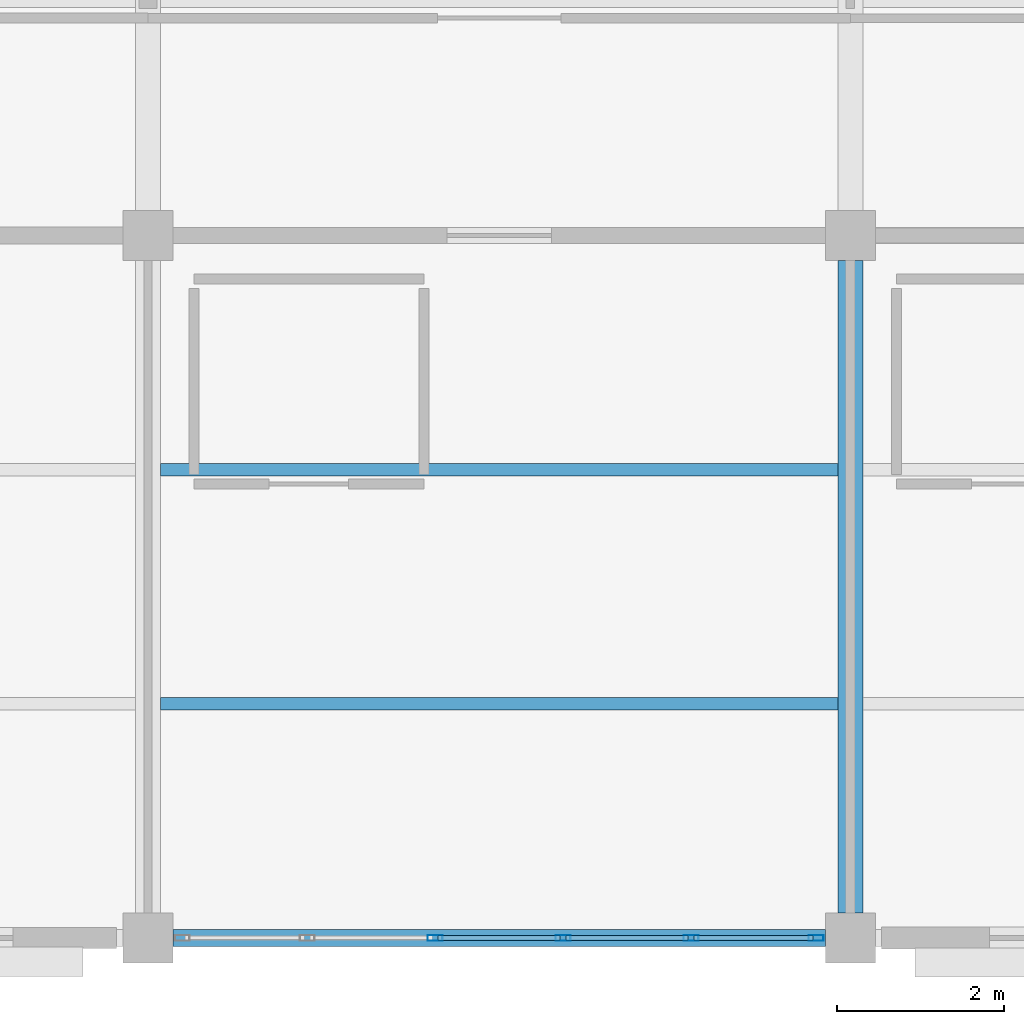
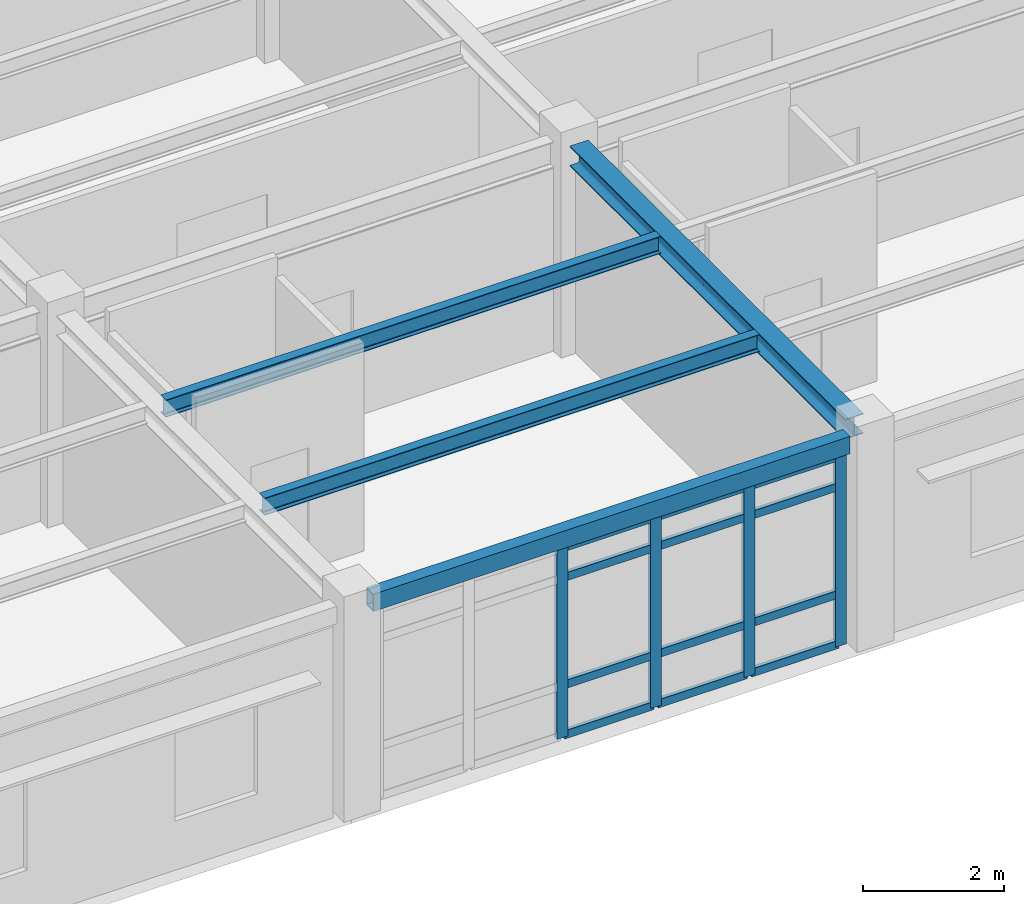
# One storey, part 6 of 86: 16 members, 4 beams, 1 element without a shape of its own.
"""IFC4 building model written with IfcOpenShell, lengths in metres."""

from ifc_helpers import new_model, si_unit, direction, frame, origin, origin_2d, place, context, subcontext, project, spatial, hollow_rectangle, i_section, extrude, material, layer, layer_set, material_profile, profile_set, type_object, element, aggregate, save


model = new_model("IFC4")

# Units and contexts
model_context = context("Model", 3, precision=1e-05, world=origin(), true_north=direction((0.0, 1.0)))
body_context = subcontext(model_context, "Body", "Model", "MODEL_VIEW")
ifc_project = project(units=[si_unit("LENGTHUNIT", "METRE"), si_unit("AREAUNIT", "SQUARE_METRE"), si_unit("VOLUMEUNIT", "CUBIC_METRE"), si_unit("PLANEANGLEUNIT", "RADIAN"), si_unit("MASSUNIT", "GRAM", prefix="KILO")], contexts=[model_context])

# Site, building, storey
site_placement = place(None, origin())
site = spatial("IfcSite", under=ifc_project, at=site_placement, CompositionType="ELEMENT")
building_placement = place(site_placement, origin())
building = spatial("IfcBuilding", under=site, at=building_placement, Name="Bramfleet General Hospital", CompositionType="ELEMENT")
storey_placement = place(building_placement, frame((0.0, 0.0, 18.60009765625)))
storey = spatial("IfcBuildingStorey", under=building, at=storey_placement, Name="L04", CompositionType="ELEMENT", Elevation=18.60009765625)

# Beams
ifc_material_1 = material(Name="Steel S355", Category="steel")
ifc_material_profile_1 = material_profile(ifc_material_1, i_section(OverallWidth=0.300048828125, OverallDepth=0.35009765625, WebThickness=0.010009765625, FlangeThickness=0.017578125, FilletRadius=0.027099609375, at=origin_2d()), Name="HEA 360")
ifc_profile_set_1 = profile_set([ifc_material_profile_1], Name="Steel S355")
beam_type_1 = type_object("IfcBeamType", Name="BM-HEA360", PredefinedType="BEAM", material=ifc_profile_set_1)
beam_1_placement = place(storey_placement, frame((126.0, 0.300048828125, 3.44482421875), z_axis=(0.0, 1.0, 0.0), x_axis=(-1.0, 0.0, 0.0)))
element("IfcBeam", 1, at=beam_1_placement, inside=storey, type_object=beam_type_1, Name="L04 Grid Beam Y 15-00", PredefinedType="BEAM", context=body_context, shape_type="SweptSolid", body=[
    extrude(i_section(OverallWidth=0.300048828125, OverallDepth=0.35009765625, WebThickness=0.010009765625, FlangeThickness=0.017578125, FilletRadius=0.027099609375, at=origin_2d()), origin(), (0.0, 0.0, 1.0), 7.800048828125),
])
ifc_material_profile_2 = material_profile(ifc_material_1, i_section(OverallWidth=0.14990234375, OverallDepth=0.300048828125, WebThickness=0.007080078125, FlangeThickness=0.0107421875, FilletRadius=0.014892578125, at=origin_2d()), Name="IPE 300")
ifc_profile_set_2 = profile_set([ifc_material_profile_2], Name="Steel S355")
beam_type_2 = type_object("IfcBeamType", Name="BM-IPE300", PredefinedType="JOIST", material=ifc_profile_set_2)
for number, where, z_axis, x_axis, name in (
    (2, (117.75, 2.800048828125, 3.469970703125), (1.0, 0.0, 0.0), (0.0, 1.0, 0.0), "L04 Secondary Joist 14-00-1"),
    (3, (117.75, 5.60009765625, 3.469970703125), (1.0, 0.0, 0.0), (0.0, 1.0, 0.0), "L04 Secondary Joist 14-00-2"),
):
    element("IfcBeam", number, at=place(storey_placement, frame(where, z_axis=z_axis, x_axis=x_axis)), inside=storey, type_object=beam_type_2, Name=name, PredefinedType="JOIST", context=body_context, shape_type="SweptSolid", body=[
        extrude(i_section(OverallWidth=0.14990234375, OverallDepth=0.300048828125, WebThickness=0.007080078125, FlangeThickness=0.0107421875, FilletRadius=0.014892578125, at=origin_2d()), origin(), (0.0, 0.0, 1.0), 8.10009765625),
    ])
ifc_material_profile_3 = material_profile(ifc_material_1, hollow_rectangle(XDim=0.199951171875, YDim=0.300048828125, WallThickness=0.012451171875, at=origin_2d()), Name="RHS 300x200x12.5")
ifc_profile_set_3 = profile_set([ifc_material_profile_3], Name="Steel S355")
beam_type_3 = type_object("IfcBeamType", Name="BM-RHS300", PredefinedType="SPANDREL", material=ifc_profile_set_3)
beam_2_placement = place(storey_placement, frame((117.89990234375, 0.0, 3.469970703125), z_axis=(1.0, 0.0, 0.0), x_axis=(0.0, 1.0, 0.0)))
element("IfcBeam", 4, at=beam_2_placement, inside=storey, type_object=beam_type_3, Name="L04 Grid Beam X 14-00", PredefinedType="SPANDREL", context=body_context, shape_type="SweptSolid", body=[
    extrude(hollow_rectangle(XDim=0.199951171875, YDim=0.300048828125, WallThickness=0.012451171875, at=origin_2d()), origin(), (0.0, 0.0, 1.0), 7.800048828125),
])

# Curtain wall, members
ifc_material_2 = material(Name="Anodised aluminium and low-E triple glazing", Category="aluminium")
ifc_layer = layer(ifc_material_2, 0.179931640625, Name="CWT-CW-16")
ifc_layer_set = layer_set([ifc_layer], Name="Anodised aluminium and low-E triple glazing")
curtain_wall_type = type_object("IfcCurtainWallType", Name="CWT-CW-16", PredefinedType="USERDEFINED", material=ifc_layer_set)
curtain_wall_placement = place(storey_placement, origin())
curtain_wall = element("IfcCurtainWall", 5, at=curtain_wall_placement, inside=storey, type_object=curtain_wall_type, Name="L04 Curtain Wall 196", ObjectType="Stick curtain wall", PredefinedType="USERDEFINED")
ifc_material_3 = material(Name="Anodised aluminium EN AW-6060", Category="aluminium")
ifc_material_profile_4 = material_profile(ifc_material_3, hollow_rectangle(XDim=0.070068359375, YDim=0.179931640625, WallThickness=0.00390625, at=origin_2d()), Name="ALU 180x70x4.0")
ifc_profile_set_4 = profile_set([ifc_material_profile_4], Name="Anodised aluminium EN AW-6060")
member_type_1 = type_object("IfcMemberType", Name="CWM-ALU180", PredefinedType="MULLION", material=ifc_profile_set_4)
member_1_placement = place(storey_placement, frame((125.590087890625, 0.0, 0.0), z_axis=(0.0, 0.0, 1.0), x_axis=(0.0, -1.0, 0.0)))
member_1 = element("IfcMember", 6, at=member_1_placement, type_object=member_type_1, Name="CW-16 mullion 1", PredefinedType="MULLION", context=body_context, shape_type="SweptSolid", body=[
    extrude(hollow_rectangle(XDim=0.070068359375, YDim=0.179931640625, WallThickness=0.00390625, at=origin_2d()), origin(), (0.0, 0.0, 1.0), 3.309814453125),
])
member_2_placement = place(storey_placement, frame((124.094970703125, 0.0, 0.0), z_axis=(0.0, 0.0, 1.0), x_axis=(0.0, -1.0, 0.0)))
member_2 = element("IfcMember", 7, at=member_2_placement, type_object=member_type_1, Name="CW-16 mullion 2", PredefinedType="MULLION", context=body_context, shape_type="SweptSolid", body=[
    extrude(hollow_rectangle(XDim=0.070068359375, YDim=0.179931640625, WallThickness=0.00390625, at=origin_2d()), origin(), (0.0, 0.0, 1.0), 3.309814453125),
])
member_3_placement = place(storey_placement, frame((122.56494140625, 0.0, 0.0), z_axis=(0.0, 0.0, 1.0), x_axis=(0.0, -1.0, 0.0)))
member_3 = element("IfcMember", 8, at=member_3_placement, type_object=member_type_1, Name="CW-16 mullion 3", PredefinedType="MULLION", context=body_context, shape_type="SweptSolid", body=[
    extrude(hollow_rectangle(XDim=0.070068359375, YDim=0.179931640625, WallThickness=0.00390625, at=origin_2d()), origin(), (0.0, 0.0, 1.0), 3.309814453125),
])
member_4_placement = place(storey_placement, frame((121.034912109375, 0.0, 0.0), z_axis=(0.0, 0.0, 1.0), x_axis=(0.0, -1.0, 0.0)))
member_4 = element("IfcMember", 9, at=member_4_placement, type_object=member_type_1, Name="CW-16 mullion 4", PredefinedType="MULLION", context=body_context, shape_type="SweptSolid", body=[
    extrude(hollow_rectangle(XDim=0.070068359375, YDim=0.179931640625, WallThickness=0.00390625, at=origin_2d()), origin(), (0.0, 0.0, 1.0), 3.309814453125),
])
ifc_material_profile_5 = material_profile(ifc_material_3, hollow_rectangle(XDim=0.06494140625, YDim=0.139892578125, WallThickness=0.00390625, at=origin_2d()), Name="ALU 140x65x4.0")
ifc_profile_set_5 = profile_set([ifc_material_profile_5], Name="Anodised aluminium EN AW-6060")
member_type_2 = type_object("IfcMemberType", Name="CWT-ALU140", PredefinedType="USERDEFINED", material=ifc_profile_set_5)
member_5_placement = place(storey_placement, frame((125.554931640625, 0.0, 0.032470703125), z_axis=(-1.0, 0.0, 0.0), x_axis=(0.0, -1.0, 0.0)))
member_5 = element("IfcMember", 10, at=member_5_placement, type_object=member_type_2, Name="CW-16 transom 1.1", ObjectType="TRANSOM", PredefinedType="USERDEFINED", context=body_context, shape_type="SweptSolid", body=[
    extrude(hollow_rectangle(XDim=0.06494140625, YDim=0.139892578125, WallThickness=0.00390625, at=origin_2d()), origin(), (0.0, 0.0, 1.0), 1.425048828125),
])
member_6_placement = place(storey_placement, frame((125.554931640625, 0.0, 0.89990234375), z_axis=(-1.0, 0.0, 0.0), x_axis=(0.0, -1.0, 0.0)))
member_6 = element("IfcMember", 11, at=member_6_placement, type_object=member_type_2, Name="CW-16 transom 1.2", ObjectType="TRANSOM", PredefinedType="USERDEFINED", context=body_context, shape_type="SweptSolid", body=[
    extrude(hollow_rectangle(XDim=0.06494140625, YDim=0.139892578125, WallThickness=0.00390625, at=origin_2d()), origin(), (0.0, 0.0, 1.0), 1.425048828125),
])
member_7_placement = place(storey_placement, frame((125.554931640625, 0.0, 2.760009765625), z_axis=(-1.0, 0.0, 0.0), x_axis=(0.0, -1.0, 0.0)))
member_7 = element("IfcMember", 12, at=member_7_placement, type_object=member_type_2, Name="CW-16 transom 1.3", ObjectType="TRANSOM", PredefinedType="USERDEFINED", context=body_context, shape_type="SweptSolid", body=[
    extrude(hollow_rectangle(XDim=0.06494140625, YDim=0.139892578125, WallThickness=0.00390625, at=origin_2d()), origin(), (0.0, 0.0, 1.0), 1.425048828125),
])
member_8_placement = place(storey_placement, frame((125.554931640625, 0.0, 3.27734375), z_axis=(-1.0, 0.0, 0.0), x_axis=(0.0, -1.0, 0.0)))
member_8 = element("IfcMember", 13, at=member_8_placement, type_object=member_type_2, Name="CW-16 transom 1.4", ObjectType="TRANSOM", PredefinedType="USERDEFINED", context=body_context, shape_type="SweptSolid", body=[
    extrude(hollow_rectangle(XDim=0.06494140625, YDim=0.139892578125, WallThickness=0.00390625, at=origin_2d()), origin(), (0.0, 0.0, 1.0), 1.425048828125),
])
member_9_placement = place(storey_placement, frame((124.06005859375, 0.0, 0.032470703125), z_axis=(-1.0, 0.0, 0.0), x_axis=(0.0, -1.0, 0.0)))
member_9 = element("IfcMember", 14, at=member_9_placement, type_object=member_type_2, Name="CW-16 transom 2.1", ObjectType="TRANSOM", PredefinedType="USERDEFINED", context=body_context, shape_type="SweptSolid", body=[
    extrude(hollow_rectangle(XDim=0.06494140625, YDim=0.139892578125, WallThickness=0.00390625, at=origin_2d()), origin(), (0.0, 0.0, 1.0), 1.4599609375),
])
member_10_placement = place(storey_placement, frame((124.06005859375, 0.0, 0.89990234375), z_axis=(-1.0, 0.0, 0.0), x_axis=(0.0, -1.0, 0.0)))
member_10 = element("IfcMember", 15, at=member_10_placement, type_object=member_type_2, Name="CW-16 transom 2.2", ObjectType="TRANSOM", PredefinedType="USERDEFINED", context=body_context, shape_type="SweptSolid", body=[
    extrude(hollow_rectangle(XDim=0.06494140625, YDim=0.139892578125, WallThickness=0.00390625, at=origin_2d()), origin(), (0.0, 0.0, 1.0), 1.4599609375),
])
member_11_placement = place(storey_placement, frame((124.06005859375, 0.0, 2.760009765625), z_axis=(-1.0, 0.0, 0.0), x_axis=(0.0, -1.0, 0.0)))
member_11 = element("IfcMember", 16, at=member_11_placement, type_object=member_type_2, Name="CW-16 transom 2.3", ObjectType="TRANSOM", PredefinedType="USERDEFINED", context=body_context, shape_type="SweptSolid", body=[
    extrude(hollow_rectangle(XDim=0.06494140625, YDim=0.139892578125, WallThickness=0.00390625, at=origin_2d()), origin(), (0.0, 0.0, 1.0), 1.4599609375),
])
member_12_placement = place(storey_placement, frame((124.06005859375, 0.0, 3.27734375), z_axis=(-1.0, 0.0, 0.0), x_axis=(0.0, -1.0, 0.0)))
member_12 = element("IfcMember", 17, at=member_12_placement, type_object=member_type_2, Name="CW-16 transom 2.4", ObjectType="TRANSOM", PredefinedType="USERDEFINED", context=body_context, shape_type="SweptSolid", body=[
    extrude(hollow_rectangle(XDim=0.06494140625, YDim=0.139892578125, WallThickness=0.00390625, at=origin_2d()), origin(), (0.0, 0.0, 1.0), 1.4599609375),
])
member_13_placement = place(storey_placement, frame((122.530029296875, 0.0, 0.032470703125), z_axis=(-1.0, 0.0, 0.0), x_axis=(0.0, -1.0, 0.0)))
member_13 = element("IfcMember", 18, at=member_13_placement, type_object=member_type_2, Name="CW-16 transom 3.1", ObjectType="TRANSOM", PredefinedType="USERDEFINED", context=body_context, shape_type="SweptSolid", body=[
    extrude(hollow_rectangle(XDim=0.06494140625, YDim=0.139892578125, WallThickness=0.00390625, at=origin_2d()), origin(), (0.0, 0.0, 1.0), 1.4599609375),
])
member_14_placement = place(storey_placement, frame((122.530029296875, 0.0, 0.89990234375), z_axis=(-1.0, 0.0, 0.0), x_axis=(0.0, -1.0, 0.0)))
member_14 = element("IfcMember", 19, at=member_14_placement, type_object=member_type_2, Name="CW-16 transom 3.2", ObjectType="TRANSOM", PredefinedType="USERDEFINED", context=body_context, shape_type="SweptSolid", body=[
    extrude(hollow_rectangle(XDim=0.06494140625, YDim=0.139892578125, WallThickness=0.00390625, at=origin_2d()), origin(), (0.0, 0.0, 1.0), 1.4599609375),
])
member_15_placement = place(storey_placement, frame((122.530029296875, 0.0, 2.760009765625), z_axis=(-1.0, 0.0, 0.0), x_axis=(0.0, -1.0, 0.0)))
member_15 = element("IfcMember", 20, at=member_15_placement, type_object=member_type_2, Name="CW-16 transom 3.3", ObjectType="TRANSOM", PredefinedType="USERDEFINED", context=body_context, shape_type="SweptSolid", body=[
    extrude(hollow_rectangle(XDim=0.06494140625, YDim=0.139892578125, WallThickness=0.00390625, at=origin_2d()), origin(), (0.0, 0.0, 1.0), 1.4599609375),
])
member_16_placement = place(storey_placement, frame((122.530029296875, 0.0, 3.27734375), z_axis=(-1.0, 0.0, 0.0), x_axis=(0.0, -1.0, 0.0)))
member_16 = element("IfcMember", 21, at=member_16_placement, type_object=member_type_2, Name="CW-16 transom 3.4", ObjectType="TRANSOM", PredefinedType="USERDEFINED", context=body_context, shape_type="SweptSolid", body=[
    extrude(hollow_rectangle(XDim=0.06494140625, YDim=0.139892578125, WallThickness=0.00390625, at=origin_2d()), origin(), (0.0, 0.0, 1.0), 1.4599609375),
])
aggregate(curtain_wall, [member_1, member_2, member_3, member_4, member_5, member_6, member_7, member_8, member_9, member_10, member_11, member_12, member_13, member_14, member_15, member_16])

save(model, "model.ifc")
